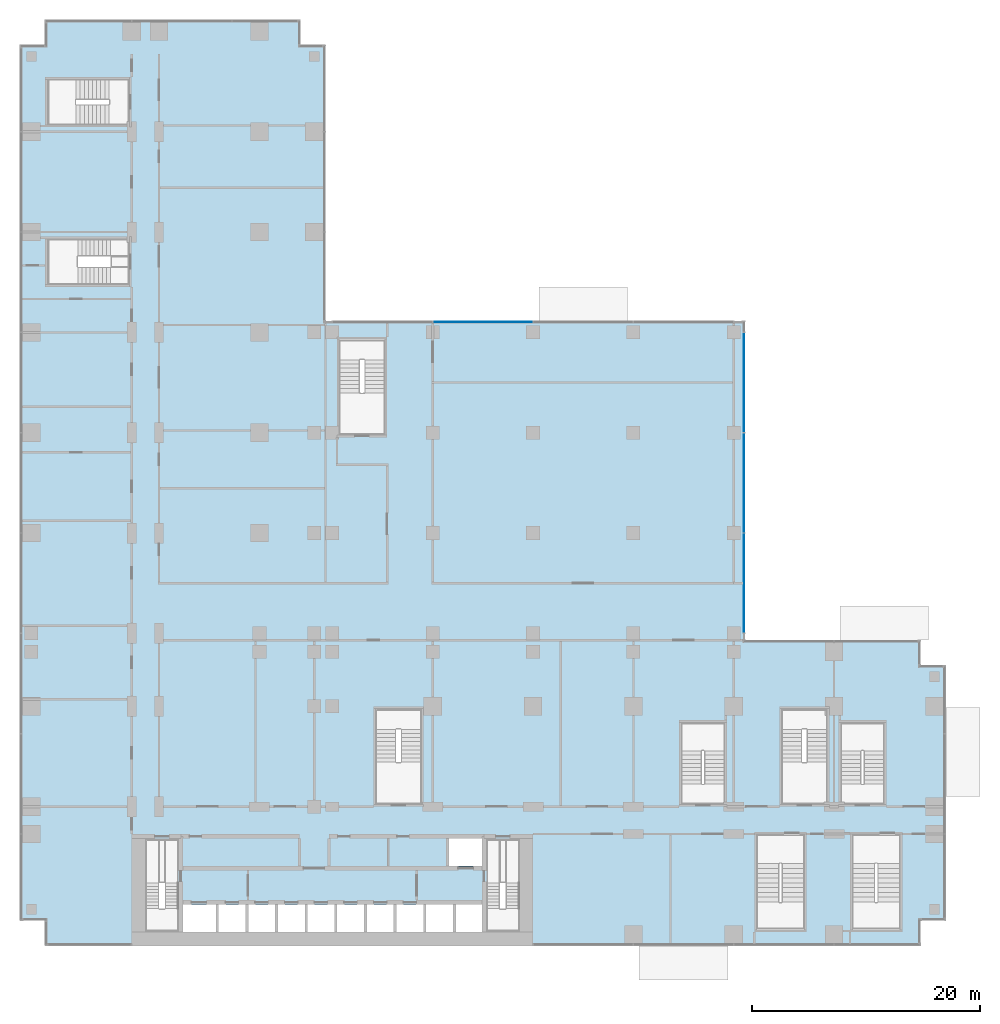
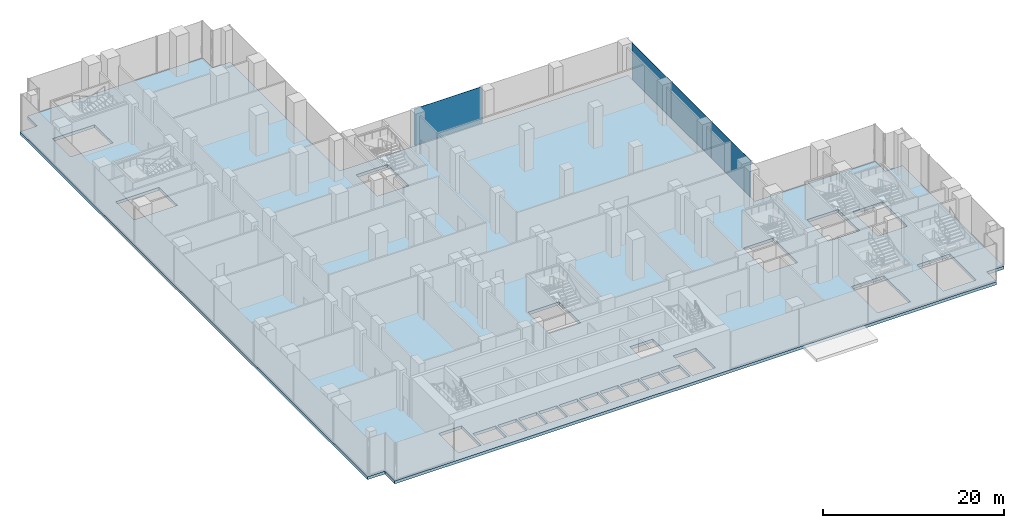
# One storey, part 15 of 30: 4 plates, 1 slab, 2 elements without a shape of their own.
"""IFC4 building model written with IfcOpenShell, lengths in metres."""

from ifc_helpers import new_model, si_unit, direction, frame, origin, origin_2d, place, context, subcontext, project, spatial, polyline, rectangle, outline, extrude, source, transform, mapped, material, layer, layer_set, type_object, element, aggregate, save


model = new_model("IFC4")

# Units and contexts
model_context = context("Model", 3, precision=1e-05, world=origin(), true_north=direction((0.0, 1.0)))
body_context = subcontext(model_context, "Body", "Model", "MODEL_VIEW")
ifc_project = project(units=[si_unit("LENGTHUNIT", "METRE"), si_unit("AREAUNIT", "SQUARE_METRE"), si_unit("VOLUMEUNIT", "CUBIC_METRE"), si_unit("PLANEANGLEUNIT", "RADIAN"), si_unit("MASSUNIT", "GRAM", prefix="KILO")], contexts=[model_context])

# Site, building, storey
site_placement = place(None, origin())
site = spatial("IfcSite", under=ifc_project, at=site_placement, CompositionType="ELEMENT")
building_placement = place(site_placement, origin())
building = spatial("IfcBuilding", under=site, at=building_placement, Name="Kemantara Hotel Tower", CompositionType="ELEMENT")
storey_placement = place(building_placement, frame((0.0, 0.0, 7.5)))
storey = spatial("IfcBuildingStorey", under=building, at=storey_placement, Name="L01", CompositionType="ELEMENT", Elevation=7.5)

# Slab
ifc_material_1 = material(Name="Concrete fc 40 MPa", Category="concrete")
ifc_layer_1 = layer(ifc_material_1, 0.39990234375)
ifc_layer_set_1 = layer_set([ifc_layer_1], Name="Concrete fc 40 MPa")
slab_type = type_object("IfcSlabType", Name="REINFORCED DECK SLAB 400", PredefinedType="FLOOR", material=ifc_layer_set_1)
slab_placement = place(storey_placement, frame((0.0, 0.0, -0.39990234375)))
element("IfcSlab", 1, at=slab_placement, inside=storey, type_object=slab_type, Name="FLOOR SLAB L01", PredefinedType="FLOOR", context=body_context, shape_type="SweptSolid", body=[
    extrude(outline(polyline([(0.0, 2.199951171875), (2.199951171875, 2.199951171875), (2.199951171875, 0.0), (79.0, 0.0), (79.0, 2.199951171875), (81.199951171875, 2.199951171875), (81.199951171875, 24.60009765625), (79.0, 24.60009765625), (79.0, 26.800048828125), (63.60009765625, 26.800048828125), (63.60009765625, 54.800048828125), (26.800048828125, 54.800048828125), (26.800048828125, 79.0), (24.60009765625, 79.0), (24.60009765625, 81.199951171875), (2.199951171875, 81.199951171875), (2.199951171875, 79.0), (0.0, 79.0), (0.0, 2.199951171875)]), holes=[polyline([(17.175048828125, 1.199951171875), (14.22509765625, 1.199951171875), (14.22509765625, 3.60009765625), (17.175048828125, 3.60009765625), (17.175048828125, 1.199951171875)]), polyline([(19.77490234375, 1.199951171875), (17.425048828125, 1.199951171875), (17.425048828125, 3.60009765625), (19.77490234375, 3.60009765625), (19.77490234375, 1.199951171875)]), polyline([(22.375, 1.199951171875), (20.02490234375, 1.199951171875), (20.02490234375, 3.60009765625), (22.375, 3.60009765625), (22.375, 1.199951171875)]), polyline([(22.625, 1.199951171875), (22.625, 3.60009765625), (24.97509765625, 3.60009765625), (24.97509765625, 1.199951171875), (22.625, 1.199951171875)]), polyline([(25.22509765625, 1.199951171875), (25.22509765625, 3.60009765625), (27.574951171875, 3.60009765625), (27.574951171875, 1.199951171875), (25.22509765625, 1.199951171875)]), polyline([(30.175048828125, 1.199951171875), (27.824951171875, 1.199951171875), (27.824951171875, 3.60009765625), (30.175048828125, 3.60009765625), (30.175048828125, 1.199951171875)]), polyline([(30.425048828125, 1.199951171875), (30.425048828125, 3.60009765625), (32.77490234375, 3.60009765625), (32.77490234375, 1.199951171875), (30.425048828125, 1.199951171875)]), polyline([(11.0, 5.49951171875), (13.89990234375, 5.49951171875), (13.89990234375, 1.199951171875), (11.0, 1.199951171875), (11.0, 5.49951171875)]), polyline([(32.0, 53.199951171875), (32.0, 48.50048828125), (28.0, 48.50048828125), (28.0, 53.199951171875), (32.0, 53.199951171875)]), polyline([(7.949462890625, 62.0), (7.949462890625, 58.0), (2.39990234375, 58.0), (2.39990234375, 62.0), (7.949462890625, 62.0)]), polyline([(7.79931640625, 76.0), (7.79931640625, 72.0), (2.39990234375, 72.0), (2.39990234375, 76.0), (7.79931640625, 76.0)]), polyline([(35.375, 1.199951171875), (33.02490234375, 1.199951171875), (33.02490234375, 3.60009765625), (35.375, 3.60009765625), (35.375, 1.199951171875)]), polyline([(37.97509765625, 1.199951171875), (35.625, 1.199951171875), (35.625, 3.60009765625), (37.97509765625, 3.60009765625), (37.97509765625, 1.199951171875)]), polyline([(40.574951171875, 1.199951171875), (38.22509765625, 1.199951171875), (38.22509765625, 3.60009765625), (40.574951171875, 3.60009765625), (40.574951171875, 1.199951171875)]), polyline([(40.89990234375, 5.49951171875), (43.800048828125, 5.49951171875), (43.800048828125, 1.199951171875), (40.89990234375, 1.199951171875), (40.89990234375, 5.49951171875)]), polyline([(64.60009765625, 7.199462890625), (68.800048828125, 7.199462890625), (68.800048828125, 1.39990234375), (64.60009765625, 1.39990234375), (64.60009765625, 7.199462890625)]), polyline([(73.0, 1.39990234375), (73.0, 7.199462890625), (77.199951171875, 7.199462890625), (77.199951171875, 1.39990234375), (73.0, 1.39990234375)]), polyline([(37.625, 7.0), (37.625, 9.39990234375), (40.574951171875, 9.39990234375), (40.574951171875, 7.0), (37.625, 7.0)]), polyline([(61.800048828125, 14.20068359375), (58.0, 14.20068359375), (58.0, 19.60009765625), (61.800048828125, 19.60009765625), (61.800048828125, 14.20068359375)]), polyline([(75.800048828125, 19.60009765625), (75.800048828125, 14.20068359375), (72.0, 14.20068359375), (72.0, 19.60009765625), (75.800048828125, 19.60009765625)]), polyline([(35.199951171875, 16.1005859375), (31.199951171875, 16.1005859375), (31.199951171875, 20.800048828125), (35.199951171875, 20.800048828125), (35.199951171875, 16.1005859375)]), polyline([(70.800048828125, 16.1005859375), (66.800048828125, 16.1005859375), (66.800048828125, 20.800048828125), (70.800048828125, 20.800048828125), (70.800048828125, 16.1005859375)])]), origin(), (0.0, 0.0, 1.0), 0.39990234375),
])

# Curtain wall, plates
ifc_material_2 = material(Name="Laminated tinted insulated glass 44 mm", Category="glass")
curtain_wall_type = type_object("IfcCurtainWallType", Name="PODIUM GLASS CURTAIN WALL", PredefinedType="USERDEFINED", material=ifc_material_2)
curtain_wall_1_placement = place(storey_placement, origin())
curtain_wall_1 = element("IfcCurtainWall", 2, at=curtain_wall_1_placement, inside=storey, type_object=curtain_wall_type, Name="CW1 L01 POD-R08-1", ObjectType="PODIUM GLASS CURTAIN WALL", PredefinedType="USERDEFINED")
ifc_layer_2 = layer(ifc_material_2, 0.0439453125)
ifc_layer_set_2 = layer_set([ifc_layer_2], Name="Laminated tinted insulated glass 44 mm")
plate_type = type_object("IfcPlateType", Name="PODIUM GLASS CURTAIN WALL PANEL", PredefinedType="CURTAIN_PANEL", material=ifc_layer_set_2)
shared_shape = source(origin(), body_context, "Body", "SweptSolid", [
    extrude(rectangle(XDim=8.72509765625, YDim=0.0439453125, at=origin_2d()), origin(), (0.0, 0.0, 1.0), 4.949951171875),
])
plate_1_placement = place(storey_placement, frame((63.5, 31.800048828125, 0.14990234375), z_axis=(0.0, 0.0, 1.0), x_axis=(0.0, 1.0, 0.0)))
plate_1 = element("IfcPlate", 3, at=plate_1_placement, type_object=plate_type, Name="CW1 glass panel POD-R08-1.2", PredefinedType="CURTAIN_PANEL", context=body_context, shape_type="MappedRepresentation", body=[
    mapped(shared_shape, transform((0.0, 0.0, 0.0))),
])
plate_2_placement = place(storey_placement, frame((63.5, 40.60009765625, 0.14990234375), z_axis=(0.0, 0.0, 1.0), x_axis=(0.0, 1.0, 0.0)))
plate_2 = element("IfcPlate", 4, at=plate_2_placement, type_object=plate_type, Name="CW1 glass panel POD-R08-1.3", PredefinedType="CURTAIN_PANEL", context=body_context, shape_type="MappedRepresentation", body=[
    mapped(shared_shape, transform((0.0, 0.0, 0.0))),
])
plate_3_placement = place(storey_placement, frame((63.5, 49.39990234375, 0.14990234375), z_axis=(0.0, 0.0, 1.0), x_axis=(0.0, 1.0, 0.0)))
plate_3 = element("IfcPlate", 5, at=plate_3_placement, type_object=plate_type, Name="CW1 glass panel POD-R08-1.4", PredefinedType="CURTAIN_PANEL", context=body_context, shape_type="MappedRepresentation", body=[
    mapped(shared_shape, transform((0.0, 0.0, 0.0))),
])
aggregate(curtain_wall_1, [plate_1, plate_2, plate_3])

# Curtain wall, plate
curtain_wall_2_placement = place(storey_placement, origin())
curtain_wall_2 = element("IfcCurtainWall", 6, at=curtain_wall_2_placement, inside=storey, type_object=curtain_wall_type, Name="CW1 L01 POD-R09-1", ObjectType="PODIUM GLASS CURTAIN WALL", PredefinedType="USERDEFINED")
plate_4_placement = place(storey_placement, frame((40.60009765625, 54.699951171875, 0.14990234375), z_axis=(0.0, 0.0, 1.0), x_axis=(-1.0, 0.0, 0.0)))
plate_4 = element("IfcPlate", 7, at=plate_4_placement, type_object=plate_type, Name="CW1 glass panel POD-R09-1.4", PredefinedType="CURTAIN_PANEL", context=body_context, shape_type="MappedRepresentation", body=[
    mapped(shared_shape, transform((0.0, 0.0, 0.0))),
])
aggregate(curtain_wall_2, [plate_4])

save(model, "model.ifc")
